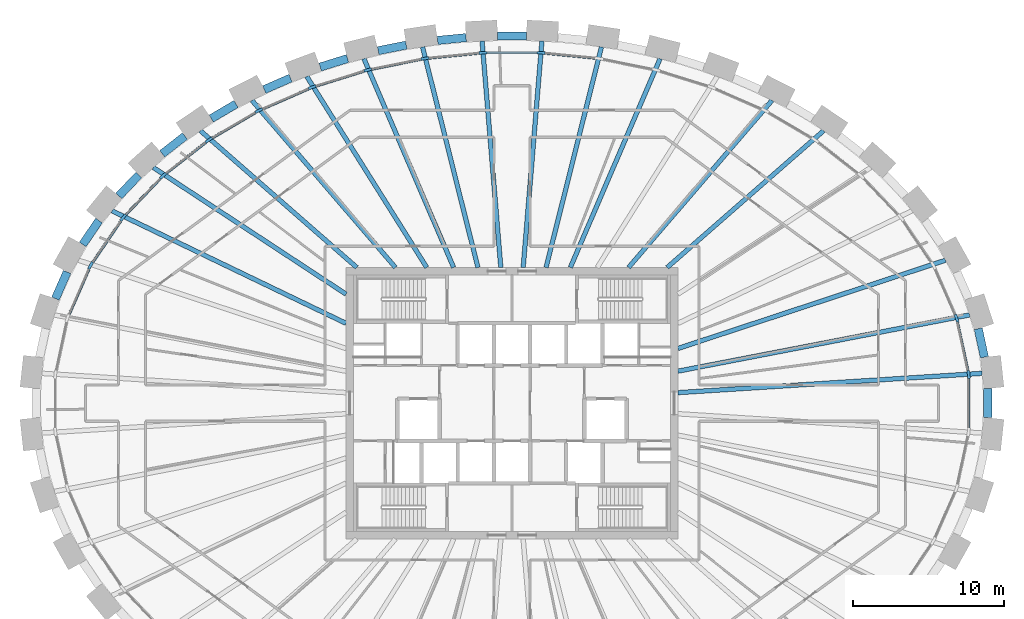
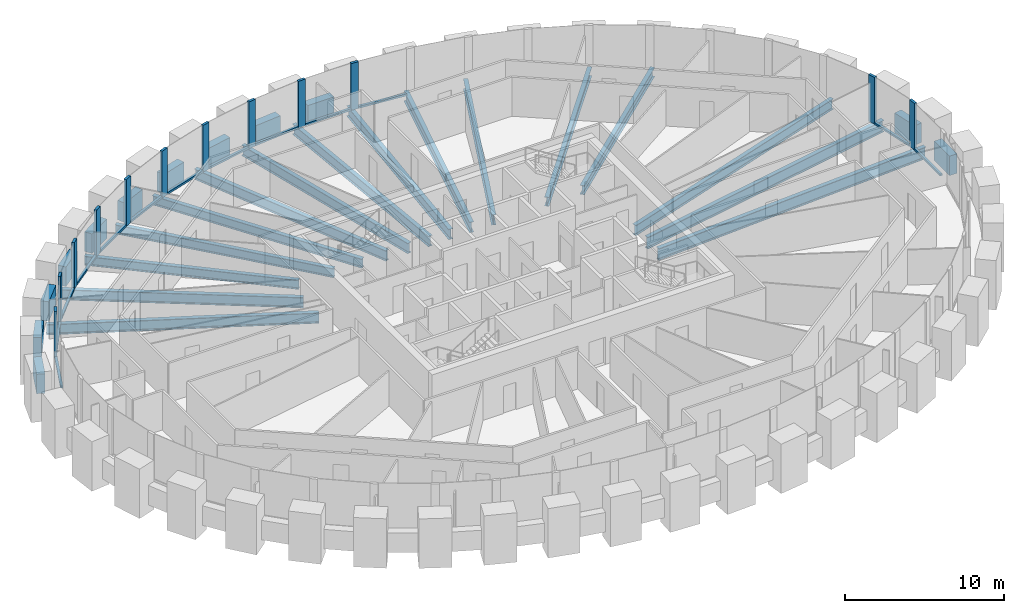
# One storey, part 3 of 12: 28 beams, 25 members, 1 element without a shape of its own.
"""IFC4 building model written with IfcOpenShell, lengths in metres."""

from ifc_helpers import new_model, si_unit, direction, frame, origin, origin_2d, place, context, subcontext, project, spatial, rectangle, i_section, extrude, source, transform, mapped, material, material_profile, profile_set, type_object, element, aggregate, save


model = new_model("IFC4")

# Units and contexts
model_context = context("Model", 3, precision=1e-05, world=origin(), true_north=direction((0.0, 1.0)))
body_context = subcontext(model_context, "Body", "Model", "MODEL_VIEW")
ifc_project = project(units=[si_unit("LENGTHUNIT", "METRE"), si_unit("AREAUNIT", "SQUARE_METRE"), si_unit("VOLUMEUNIT", "CUBIC_METRE"), si_unit("PLANEANGLEUNIT", "RADIAN"), si_unit("MASSUNIT", "GRAM", prefix="KILO")], contexts=[model_context])

# Site, building, storey
site_placement = place(None, origin())
site = spatial("IfcSite", under=ifc_project, at=site_placement, CompositionType="ELEMENT")
building_placement = place(site_placement, origin())
building = spatial("IfcBuilding", under=site, at=building_placement, Name="Embergate Tower", CompositionType="ELEMENT")
storey_placement = place(building_placement, frame((0.0, 0.0, 285.10009765625)))
storey = spatial("IfcBuildingStorey", under=building, at=storey_placement, Name="L66", CompositionType="ELEMENT", Elevation=285.10009765625)

# Beams
ifc_material_1 = material(Name="Concrete C60", Category="concrete")
ifc_material_profile_1 = material_profile(ifc_material_1, rectangle(XDim=0.550048828125, YDim=1.5, at=origin_2d()), Name="RC 550x1500")
ifc_profile_set_1 = profile_set([ifc_material_profile_1], Name="Concrete C60")
beam_type_1 = type_object("IfcBeamType", Name="Spandrel beam RC 550x1500 C60", PredefinedType="BEAM", material=ifc_profile_set_1)
shared_shape_1 = source(origin(), body_context, "Body", "SweptSolid", [
    extrude(rectangle(XDim=0.550048828125, YDim=1.5, at=origin_2d()), origin(), (0.0, 0.0, 1.0), 1.927978515625),
])
beam_1_placement = place(storey_placement, frame((31.320068359375, 3.052001953125, 0.0), z_axis=(-0.210073860291, 0.97768551857, 0.0), x_axis=(-0.97768551857, -0.210073860291, 0.0)))
element("IfcBeam", 1, at=beam_1_placement, inside=storey, type_object=beam_type_1, Name="SPN-L66-00", PredefinedType="BEAM", context=body_context, shape_type="MappedRepresentation", body=[
    mapped(shared_shape_1, transform((0.0, 0.0, 0.0))),
])
shared_shape_2 = source(origin(), body_context, "Body", "SweptSolid", [
    extrude(rectangle(XDim=0.550048828125, YDim=1.5, at=origin_2d()), origin(), (0.0, 0.0, 1.0), 1.924560546875),
])
beam_2_placement = place(storey_placement, frame((-29.4951171875, 8.697021484375, 0.0), z_axis=(-0.402156084764, -0.91557112421, 0.0), x_axis=(0.91557112421, -0.402156084764, 0.0)))
element("IfcBeam", 2, at=beam_2_placement, inside=storey, type_object=beam_type_1, Name="SPN-L66-19", PredefinedType="BEAM", context=body_context, shape_type="MappedRepresentation", body=[
    mapped(shared_shape_2, transform((0.0, 0.0, 0.0))),
])
shared_shape_3 = source(origin(), body_context, "Body", "SweptSolid", [
    extrude(rectangle(XDim=0.550048828125, YDim=1.5, at=origin_2d()), origin(), (0.0, 0.0, 1.0), 1.91455078125),
])
beam_3_placement = place(storey_placement, frame((-27.384033203125, 12.10791015625, 0.0), z_axis=(-0.562473939822, -0.826815013785, 0.0), x_axis=(0.826815013785, -0.562473939822, 0.0)))
element("IfcBeam", 3, at=beam_3_placement, inside=storey, type_object=beam_type_1, Name="SPN-L66-18", PredefinedType="BEAM", context=body_context, shape_type="MappedRepresentation", body=[
    mapped(shared_shape_3, transform((0.0, 0.0, 0.0))),
])
shared_shape_4 = source(origin(), body_context, "Body", "SweptSolid", [
    extrude(rectangle(XDim=0.550048828125, YDim=1.5, at=origin_2d()), origin(), (0.0, 0.0, 1.0), 1.913330078125),
])
beam_4_placement = place(storey_placement, frame((-24.743896484375, 15.1259765625, 0.0), z_axis=(-0.690454502374, -0.723375822206, 0.0), x_axis=(0.723375822206, -0.690454502374, 0.0)))
element("IfcBeam", 4, at=beam_4_placement, inside=storey, type_object=beam_type_1, Name="SPN-L66-17", PredefinedType="BEAM", context=body_context, shape_type="MappedRepresentation", body=[
    mapped(shared_shape_4, transform((0.0, 0.0, 0.0))),
])
shared_shape_5 = source(origin(), body_context, "Body", "SweptSolid", [
    extrude(rectangle(XDim=0.550048828125, YDim=1.5, at=origin_2d()), origin(), (0.0, 0.0, 1.0), 1.907958984375),
])
beam_5_placement = place(storey_placement, frame((-21.68408203125, 17.7099609375, 0.0), z_axis=(-0.788241602778, -0.615365887623, 0.0), x_axis=(0.615365887623, -0.788241602778, 0.0)))
element("IfcBeam", 5, at=beam_5_placement, inside=storey, type_object=beam_type_1, Name="SPN-L66-16", PredefinedType="BEAM", context=body_context, shape_type="MappedRepresentation", body=[
    mapped(shared_shape_5, transform((0.0, 0.0, 0.0))),
])
shared_shape_6 = source(origin(), body_context, "Body", "SweptSolid", [
    extrude(rectangle(XDim=0.550048828125, YDim=1.5, at=origin_2d()), origin(), (0.0, 0.0, 1.0), 1.90234375),
])
beam_6_placement = place(storey_placement, frame((-18.2958984375, 19.837890625, 0.0), z_axis=(-0.862145280572, -0.506661144343, 0.0), x_axis=(0.506661144343, -0.862145280572, 0.0)))
element("IfcBeam", 6, at=beam_6_placement, inside=storey, type_object=beam_type_1, Name="SPN-L66-15", PredefinedType="BEAM", context=body_context, shape_type="MappedRepresentation", body=[
    mapped(shared_shape_6, transform((0.0, 0.0, 0.0))),
])
shared_shape_7 = source(origin(), body_context, "Body", "SweptSolid", [
    extrude(rectangle(XDim=0.550048828125, YDim=1.5, at=origin_2d()), origin(), (0.0, 0.0, 1.0), 1.89990234375),
])
beam_7_placement = place(storey_placement, frame((-14.68408203125, 21.553955078125, 0.0), z_axis=(-0.916289991501, -0.400515482192, 0.0), x_axis=(0.400515482192, -0.916289991501, 0.0)))
element("IfcBeam", 7, at=beam_7_placement, inside=storey, type_object=beam_type_1, Name="SPN-L66-14", PredefinedType="BEAM", context=body_context, shape_type="MappedRepresentation", body=[
    mapped(shared_shape_7, transform((0.0, 0.0, 0.0))),
])
shared_shape_8 = source(origin(), body_context, "Body", "SweptSolid", [
    extrude(rectangle(XDim=0.550048828125, YDim=1.5, at=origin_2d()), origin(), (0.0, 0.0, 1.0), 1.898681640625),
])
beam_8_placement = place(storey_placement, frame((-10.904052734375, 22.85205078125, 0.0), z_axis=(-0.954868123024, -0.297030078667, 0.0), x_axis=(0.297030078667, -0.954868123024, 0.0)))
element("IfcBeam", 8, at=beam_8_placement, inside=storey, type_object=beam_type_1, Name="SPN-L66-13", PredefinedType="BEAM", context=body_context, shape_type="MappedRepresentation", body=[
    mapped(shared_shape_8, transform((0.0, 0.0, 0.0))),
])
shared_shape_9 = source(origin(), body_context, "Body", "SweptSolid", [
    extrude(rectangle(XDim=0.550048828125, YDim=1.5, at=origin_2d()), origin(), (0.0, 0.0, 1.0), 1.895751953125),
])
beam_9_placement = place(storey_placement, frame((-7.010009765625, 23.743896484375, 0.0), z_axis=(-0.980575722075, -0.196140901592, 0.0), x_axis=(0.196140901592, -0.980575722075, 0.0)))
element("IfcBeam", 9, at=beam_9_placement, inside=storey, type_object=beam_type_1, Name="SPN-L66-12", PredefinedType="BEAM", context=body_context, shape_type="MappedRepresentation", body=[
    mapped(shared_shape_9, transform((0.0, 0.0, 0.0))),
])
shared_shape_10 = source(origin(), body_context, "Body", "SweptSolid", [
    extrude(rectangle(XDim=0.550048828125, YDim=1.5, at=origin_2d()), origin(), (0.0, 0.0, 1.0), 1.896240234375),
])
beam_10_placement = place(storey_placement, frame((-3.0458984375, 24.239990234375, 0.0), z_axis=(-0.995176416472, -0.098101478571, 0.0), x_axis=(0.098101478571, -0.995176416472, 0.0)))
element("IfcBeam", 10, at=beam_10_placement, inside=storey, type_object=beam_type_1, Name="SPN-L66-11", PredefinedType="BEAM", context=body_context, shape_type="MappedRepresentation", body=[
    mapped(shared_shape_10, transform((0.0, 0.0, 0.0))),
])
shared_shape_11 = source(origin(), body_context, "Body", "SweptSolid", [
    extrude(rectangle(XDim=0.550048828125, YDim=1.5, at=origin_2d()), origin(), (0.0, 0.0, 1.0), 1.89599609375),
])
beam_11_placement = place(storey_placement, frame((0.947998046875, 24.343017578125, 0.0), z_axis=(-1.0, 0.0, 0.0), x_axis=(0.0, -1.0, 0.0)))
element("IfcBeam", 11, at=beam_11_placement, inside=storey, type_object=beam_type_1, Name="SPN-L66-10", PredefinedType="BEAM", context=body_context, shape_type="MappedRepresentation", body=[
    mapped(shared_shape_11, transform((0.0, 0.0, 0.0))),
])
shared_shape_12 = source(origin(), body_context, "Body", "SweptSolid", [
    extrude(rectangle(XDim=0.550048828125, YDim=1.5, at=origin_2d()), origin(), (0.0, 0.0, 1.0), 1.92822265625),
])
beam_12_placement = place(storey_placement, frame((31.5419921875, -0.964111328125, 0.0), z_axis=(0.0, 1.0, 0.0), x_axis=(-1.0, 0.0, 0.0)))
element("IfcBeam", 12, at=beam_12_placement, inside=storey, type_object=beam_type_1, Name="SPN-L66-43", PredefinedType="BEAM", context=body_context, shape_type="MappedRepresentation", body=[
    mapped(shared_shape_12, transform((0.0, 0.0, 0.0))),
])
ifc_material_2 = material(Name="Steel Q355B", Category="steel")
ifc_material_profile_2 = material_profile(ifc_material_2, i_section(OverallWidth=0.300048828125, OverallDepth=0.89990234375, WebThickness=0.01611328125, FlangeThickness=0.028076171875, FilletRadius=0.028076171875, at=origin_2d()), Name="HN 900x300x16x28")
ifc_profile_set_2 = profile_set([ifc_material_profile_2], Name="Steel Q355 grade B")
beam_type_2 = type_object("IfcBeamType", Name="Radial girder HN 900x300x16x28", PredefinedType="BEAM", material=ifc_profile_set_2)
shared_shape_13 = source(origin(), body_context, "Body", "SweptSolid", [
    extrude(i_section(OverallWidth=0.300048828125, OverallDepth=0.89990234375, WebThickness=0.01611328125, FlangeThickness=0.028076171875, FilletRadius=0.028076171875, at=origin_2d()), origin(), (0.0, 0.0, 1.0), 20.20751953125),
])
beam_13_placement = place(storey_placement, frame((31.1669921875, 1.97998046875, -0.650146484375), z_axis=(-0.997988693818, -0.063392168375, 0.0), x_axis=(0.063392168375, -0.997988693818, 0.0)))
element("IfcBeam", 13, at=beam_13_placement, inside=storey, type_object=beam_type_2, Name="GIR-L66-00", PredefinedType="BEAM", context=body_context, shape_type="MappedRepresentation", body=[
    mapped(shared_shape_13, transform((0.0, 0.0, 0.0))),
])
shared_shape_14 = source(origin(), body_context, "Body", "SweptSolid", [
    extrude(i_section(OverallWidth=0.300048828125, OverallDepth=0.89990234375, WebThickness=0.01611328125, FlangeThickness=0.028076171875, FilletRadius=0.028076171875, at=origin_2d()), origin(), (0.0, 0.0, 1.0), 19.6904296875),
])
beam_14_placement = place(storey_placement, frame((30.333984375, 5.85205078125, -0.650146484375), z_axis=(-0.981894135389, -0.189430480358, 0.0), x_axis=(0.189430480358, -0.981894135389, 0.0)))
element("IfcBeam", 14, at=beam_14_placement, inside=storey, type_object=beam_type_2, Name="GIR-L66-01", PredefinedType="BEAM", context=body_context, shape_type="MappedRepresentation", body=[
    mapped(shared_shape_14, transform((0.0, 0.0, 0.0))),
])
ifc_material_profile_3 = material_profile(ifc_material_2, i_section(OverallWidth=0.300048828125, OverallDepth=0.800048828125, WebThickness=0.013916015625, FlangeThickness=0.02587890625, FilletRadius=0.028076171875, at=origin_2d()), Name="HN 800x300x14x26")
ifc_profile_set_3 = profile_set([ifc_material_profile_3], Name="Steel Q355 grade B")
beam_type_3 = type_object("IfcBeamType", Name="Radial girder HN 800x300x14x26", PredefinedType="BEAM", material=ifc_profile_set_3)
shared_shape_15 = source(origin(), body_context, "Body", "SweptSolid", [
    extrude(i_section(OverallWidth=0.300048828125, OverallDepth=0.800048828125, WebThickness=0.013916015625, FlangeThickness=0.02587890625, FilletRadius=0.028076171875, at=origin_2d()), origin(), (0.0, 0.0, 1.0), 18.681884765625),
])
beam_15_placement = place(storey_placement, frame((28.741943359375, 9.47900390625, -0.60009765625), z_axis=(-0.949688639477, -0.313195606689, 0.0), x_axis=(0.313195606689, -0.949688639477, 0.0)))
element("IfcBeam", 15, at=beam_15_placement, inside=storey, type_object=beam_type_3, Name="GIR-L66-02", PredefinedType="BEAM", context=body_context, shape_type="MappedRepresentation", body=[
    mapped(shared_shape_15, transform((0.0, 0.0, 0.0))),
])
shared_shape_16 = source(origin(), body_context, "Body", "SweptSolid", [
    extrude(i_section(OverallWidth=0.300048828125, OverallDepth=0.800048828125, WebThickness=0.013916015625, FlangeThickness=0.02587890625, FilletRadius=0.028076171875, at=origin_2d()), origin(), (0.0, 0.0, 1.0), 17.216552734375),
])
beam_16_placement = place(storey_placement, frame((-26.514892578125, 12.7548828125, -0.60009765625), z_axis=(0.90116604055, -0.433474067689, 0.0), x_axis=(0.433474067689, 0.90116604055, 0.0)))
element("IfcBeam", 16, at=beam_16_placement, inside=storey, type_object=beam_type_3, Name="GIR-L66-18", PredefinedType="BEAM", context=body_context, shape_type="MappedRepresentation", body=[
    mapped(shared_shape_16, transform((0.0, 0.0, 0.0))),
])
shared_shape_17 = source(origin(), body_context, "Body", "SweptSolid", [
    extrude(i_section(OverallWidth=0.300048828125, OverallDepth=0.800048828125, WebThickness=0.013916015625, FlangeThickness=0.02587890625, FilletRadius=0.028076171875, at=origin_2d()), origin(), (0.0, 0.0, 1.0), 15.29052734375),
])
beam_17_placement = place(storey_placement, frame((-23.779052734375, 15.623046875, -0.60009765625), z_axis=(0.835755516173, -0.549101736645, 0.0), x_axis=(0.549101736645, 0.835755516173, 0.0)))
element("IfcBeam", 17, at=beam_17_placement, inside=storey, type_object=beam_type_3, Name="GIR-L66-17", PredefinedType="BEAM", context=body_context, shape_type="MappedRepresentation", body=[
    mapped(shared_shape_17, transform((0.0, 0.0, 0.0))),
])
ifc_material_profile_4 = material_profile(ifc_material_2, i_section(OverallWidth=0.300048828125, OverallDepth=0.699951171875, WebThickness=0.012939453125, FlangeThickness=0.02392578125, FilletRadius=0.01806640625, at=origin_2d()), Name="HN 700x300x13x24")
ifc_profile_set_4 = profile_set([ifc_material_profile_4], Name="Steel Q355 grade B")
beam_type_4 = type_object("IfcBeamType", Name="Radial girder HN 700x300x13x24", PredefinedType="BEAM", material=ifc_profile_set_4)
shared_shape_18 = source(origin(), body_context, "Body", "SweptSolid", [
    extrude(i_section(OverallWidth=0.300048828125, OverallDepth=0.699951171875, WebThickness=0.012939453125, FlangeThickness=0.02392578125, FilletRadius=0.01806640625, at=origin_2d()), origin(), (0.0, 0.0, 1.0), 13.767822265625),
])
for number, where, z_axis, x_axis, name in (
    (18, (20.655029296875, 18.06298828125, -0.550048828125), (-0.752775487565, -0.658277346809, 0.0), (0.658277346809, -0.752775487565, 0.0), "GIR-L66-05"),
    (19, (-20.655029296875, 18.06298828125, -0.550048828125), (0.752775487565, -0.658277346809, 0.0), (0.658277346809, 0.752775487565, 0.0), "GIR-L66-16"),
):
    element("IfcBeam", number, at=place(storey_placement, frame(where, z_axis=z_axis, x_axis=x_axis)), inside=storey, type_object=beam_type_4, Name=name, PredefinedType="BEAM", context=body_context, shape_type="MappedRepresentation", body=[
        mapped(shared_shape_18, transform((0.0, 0.0, 0.0))),
    ])
shared_shape_19 = source(origin(), body_context, "Body", "SweptSolid", [
    extrude(i_section(OverallWidth=0.300048828125, OverallDepth=0.699951171875, WebThickness=0.012939453125, FlangeThickness=0.02392578125, FilletRadius=0.01806640625, at=origin_2d()), origin(), (0.0, 0.0, 1.0), 14.59423828125),
])
for number, where, z_axis, x_axis, name in (
    (20, (17.237060546875, 20.072021484375, -0.550048828125), (-0.651492316214, -0.758655232575, 0.0), (0.758655232575, -0.651492316214, 0.0), "GIR-L66-06"),
    (21, (-17.237060546875, 20.072021484375, -0.550048828125), (0.651492316214, -0.758655232575, 0.0), (0.758655232575, 0.651492316214, 0.0), "GIR-L66-15"),
):
    element("IfcBeam", number, at=place(storey_placement, frame(where, z_axis=z_axis, x_axis=x_axis)), inside=storey, type_object=beam_type_4, Name=name, PredefinedType="BEAM", context=body_context, shape_type="MappedRepresentation", body=[
        mapped(shared_shape_19, transform((0.0, 0.0, 0.0))),
    ])
shared_shape_20 = source(origin(), body_context, "Body", "SweptSolid", [
    extrude(i_section(OverallWidth=0.300048828125, OverallDepth=0.699951171875, WebThickness=0.012939453125, FlangeThickness=0.02392578125, FilletRadius=0.01806640625, at=origin_2d()), origin(), (0.0, 0.0, 1.0), 14.94970703125),
])
beam_18_placement = place(storey_placement, frame((-13.60400390625, 21.659912109375, -0.550048828125), z_axis=(0.531848758453, -0.846839357926, 0.0), x_axis=(0.846839357926, 0.531848758453, 0.0)))
element("IfcBeam", 22, at=beam_18_placement, inside=storey, type_object=beam_type_4, Name="GIR-L66-14", PredefinedType="BEAM", context=body_context, shape_type="MappedRepresentation", body=[
    mapped(shared_shape_20, transform((0.0, 0.0, 0.0))),
])
shared_shape_21 = source(origin(), body_context, "Body", "SweptSolid", [
    extrude(i_section(OverallWidth=0.300048828125, OverallDepth=0.800048828125, WebThickness=0.013916015625, FlangeThickness=0.02587890625, FilletRadius=0.028076171875, at=origin_2d()), origin(), (0.0, 0.0, 1.0), 15.064453125),
])
for number, where, z_axis, x_axis, name in (
    (23, (9.818115234375, 22.840087890625, -0.60009765625), (-0.394914636063, -0.918717818605, 0.0), (0.918717818605, -0.394914636063, 0.0), "GIR-L66-08"),
    (24, (-9.818115234375, 22.840087890625, -0.60009765625), (0.394914636063, -0.918717818605, 0.0), (0.918717818605, 0.394914636063, 0.0), "GIR-L66-13"),
):
    element("IfcBeam", number, at=place(storey_placement, frame(where, z_axis=z_axis, x_axis=x_axis)), inside=storey, type_object=beam_type_3, Name=name, PredefinedType="BEAM", context=body_context, shape_type="MappedRepresentation", body=[
        mapped(shared_shape_21, transform((0.0, 0.0, 0.0))),
    ])
shared_shape_22 = source(origin(), body_context, "Body", "SweptSolid", [
    extrude(i_section(OverallWidth=0.300048828125, OverallDepth=0.800048828125, WebThickness=0.013916015625, FlangeThickness=0.02587890625, FilletRadius=0.028076171875, at=origin_2d()), origin(), (0.0, 0.0, 1.0), 15.072509765625),
])
for number, where, z_axis, x_axis, name in (
    (25, (5.929931640625, 23.618896484375, -0.60009765625), (-0.243484506306, -0.969904786662, 0.0), (0.969904786662, -0.243484506306, 0.0), "GIR-L66-09"),
    (26, (-5.929931640625, 23.618896484375, -0.60009765625), (0.243484506306, -0.969904786662, 0.0), (0.969904786662, 0.243484506306, 0.0), "GIR-L66-12"),
):
    element("IfcBeam", number, at=place(storey_placement, frame(where, z_axis=z_axis, x_axis=x_axis)), inside=storey, type_object=beam_type_3, Name=name, PredefinedType="BEAM", context=body_context, shape_type="MappedRepresentation", body=[
        mapped(shared_shape_22, transform((0.0, 0.0, 0.0))),
    ])
shared_shape_23 = source(origin(), body_context, "Body", "SweptSolid", [
    extrude(i_section(OverallWidth=0.300048828125, OverallDepth=0.800048828125, WebThickness=0.013916015625, FlangeThickness=0.02587890625, FilletRadius=0.028076171875, at=origin_2d()), origin(), (0.0, 0.0, 1.0), 15.05908203125),
])
for number, where, z_axis, x_axis, name in (
    (27, (1.98291015625, 24.008056640625, -0.60009765625), (-0.082341072881, -0.996604208157, 0.0), (0.996604208157, -0.082341072881, 0.0), "GIR-L66-10"),
    (28, (-1.98291015625, 24.008056640625, -0.60009765625), (0.082341072881, -0.996604208157, 0.0), (0.996604208157, 0.082341072881, 0.0), "GIR-L66-11"),
):
    element("IfcBeam", number, at=place(storey_placement, frame(where, z_axis=z_axis, x_axis=x_axis)), inside=storey, type_object=beam_type_3, Name=name, PredefinedType="BEAM", context=body_context, shape_type="MappedRepresentation", body=[
        mapped(shared_shape_23, transform((0.0, 0.0, 0.0))),
    ])

# Curtain wall, members
ifc_material_3 = material(Name="Aluminium and glass", Category="aluminium")
curtain_wall_type = type_object("IfcCurtainWallType", Name="Recessed office glazing", PredefinedType="NOTDEFINED", material=ifc_material_3)
curtain_wall_placement = place(storey_placement, origin())
curtain_wall = element("IfcCurtainWall", 29, at=curtain_wall_placement, inside=storey, type_object=curtain_wall_type, Name="Recessed office glazing ring", ObjectType="RECESSED OFFICE GLAZING", PredefinedType="USERDEFINED")
ifc_material_4 = material(Name="Aluminium, thermally broken", Category="aluminium")
ifc_material_profile_5 = material_profile(ifc_material_4, rectangle(XDim=0.179931640625, YDim=0.52001953125, at=origin_2d()), Name="AL 520x180")
ifc_profile_set_5 = profile_set([ifc_material_profile_5], Name="Aluminium, thermally broken")
member_type_1 = type_object("IfcMemberType", Name="Office mullion", PredefinedType="MULLION", material=ifc_profile_set_5)
shared_shape_24 = source(origin(), body_context, "Body", "SweptSolid", [
    extrude(rectangle(XDim=0.179931640625, YDim=0.52001953125, at=origin_2d()), origin(), (0.0, 0.0, 1.0), 3.599853515625),
])
member_1_placement = place(storey_placement, frame((30.27685546875, 1.90625, 0.0), z_axis=(0.0, 0.0, 1.0), x_axis=(-0.994384031216, -0.105831934987, 0.0)))
member_1 = element("IfcMember", 30, at=member_1_placement, type_object=member_type_1, Name="CW mullion 1", PredefinedType="MULLION", context=body_context, shape_type="MappedRepresentation", body=[
    mapped(shared_shape_24, transform((0.0, 0.0, 0.0))),
])
member_2_placement = place(storey_placement, frame((29.47412109375, 5.635986328125, 0.0), z_axis=(0.0, 0.0, 1.0), x_axis=(-0.951491354261, -0.307675482882, 0.0)))
member_2 = element("IfcMember", 31, at=member_2_placement, type_object=member_type_1, Name="CW mullion 2", PredefinedType="MULLION", context=body_context, shape_type="MappedRepresentation", body=[
    mapped(shared_shape_24, transform((0.0, 0.0, 0.0))),
])
member_3_placement = place(storey_placement, frame((1.931884765625, 23.230712890625, 0.0), z_axis=(0.0, 0.0, 1.0), x_axis=(-0.048970053385, -0.998800247232, 0.0)))
member_3 = element("IfcMember", 32, at=member_3_placement, type_object=member_type_1, Name="CW mullion 11", PredefinedType="MULLION", context=body_context, shape_type="MappedRepresentation", body=[
    mapped(shared_shape_24, transform((0.0, 0.0, 0.0))),
])
member_4_placement = place(storey_placement, frame((-1.931884765625, 23.230712890625, 0.0), z_axis=(0.0, 0.0, 1.0), x_axis=(0.048970053385, -0.998800247232, 0.0)))
member_4 = element("IfcMember", 33, at=member_4_placement, type_object=member_type_1, Name="CW mullion 12", PredefinedType="MULLION", context=body_context, shape_type="MappedRepresentation", body=[
    mapped(shared_shape_24, transform((0.0, 0.0, 0.0))),
])
member_5_placement = place(storey_placement, frame((-5.776611328125, 22.852783203125, 0.0), z_axis=(0.0, 0.0, 1.0), x_axis=(0.147407204031, -0.98907589001, 0.0)))
member_5 = element("IfcMember", 34, at=member_5_placement, type_object=member_type_1, Name="CW mullion 13", PredefinedType="MULLION", context=body_context, shape_type="MappedRepresentation", body=[
    mapped(shared_shape_24, transform((0.0, 0.0, 0.0))),
])
member_6_placement = place(storey_placement, frame((-9.5634765625, 22.093505859375, 0.0), z_axis=(0.0, 0.0, 1.0), x_axis=(0.247305116915, -0.968937654933, 0.0)))
member_6 = element("IfcMember", 35, at=member_6_placement, type_object=member_type_1, Name="CW mullion 14", PredefinedType="MULLION", context=body_context, shape_type="MappedRepresentation", body=[
    mapped(shared_shape_24, transform((0.0, 0.0, 0.0))),
])
member_7_placement = place(storey_placement, frame((-13.248779296875, 20.94580078125, 0.0), z_axis=(0.0, 0.0, 1.0), x_axis=(0.349492871267, -0.93693902306, 0.0)))
member_7 = element("IfcMember", 36, at=member_7_placement, type_object=member_type_1, Name="CW mullion 15", PredefinedType="MULLION", context=body_context, shape_type="MappedRepresentation", body=[
    mapped(shared_shape_24, transform((0.0, 0.0, 0.0))),
])
member_8_placement = place(storey_placement, frame((-16.782470703125, 19.400634765625, 0.0), z_axis=(0.0, 0.0, 1.0), x_axis=(0.454498943392, -0.890747276423, 0.0)))
member_8 = element("IfcMember", 37, at=member_8_placement, type_object=member_type_1, Name="CW mullion 16", PredefinedType="MULLION", context=body_context, shape_type="MappedRepresentation", body=[
    mapped(shared_shape_24, transform((0.0, 0.0, 0.0))),
])
member_9_placement = place(storey_placement, frame((-20.103271484375, 17.4482421875, 0.0), z_axis=(0.0, 0.0, 1.0), x_axis=(0.562201741385, -0.827000122118, 0.0)))
member_9 = element("IfcMember", 38, at=member_9_placement, type_object=member_type_1, Name="CW mullion 17", PredefinedType="MULLION", context=body_context, shape_type="MappedRepresentation", body=[
    mapped(shared_shape_24, transform((0.0, 0.0, 0.0))),
])
member_10_placement = place(storey_placement, frame((-23.135498046875, 15.081787109375, 0.0), z_axis=(0.0, 0.0, 1.0), x_axis=(0.671209715303, -0.741267507775, 0.0)))
member_10 = element("IfcMember", 39, at=member_10_placement, type_object=member_type_1, Name="CW mullion 18", PredefinedType="MULLION", context=body_context, shape_type="MappedRepresentation", body=[
    mapped(shared_shape_24, transform((0.0, 0.0, 0.0))),
])
member_11_placement = place(storey_placement, frame((-25.784912109375, 12.3037109375, 0.0), z_axis=(0.0, 0.0, 1.0), x_axis=(0.777856112038, -0.628442414996, 0.0)))
member_11 = element("IfcMember", 40, at=member_11_placement, type_object=member_type_1, Name="CW mullion 19", PredefinedType="MULLION", context=body_context, shape_type="MappedRepresentation", body=[
    mapped(shared_shape_24, transform((0.0, 0.0, 0.0))),
])
member_12_placement = place(storey_placement, frame((-27.93896484375, 9.13623046875, 0.0), z_axis=(0.0, 0.0, 1.0), x_axis=(0.874988376324, -0.484143926222, 0.0)))
member_12 = element("IfcMember", 41, at=member_12_placement, type_object=member_type_1, Name="CW mullion 20", PredefinedType="MULLION", context=body_context, shape_type="MappedRepresentation", body=[
    mapped(shared_shape_24, transform((0.0, 0.0, 0.0))),
])
ifc_material_profile_6 = material_profile(ifc_material_4, rectangle(XDim=0.179931640625, YDim=0.14990234375, at=origin_2d()), Name="AL 150x180")
ifc_profile_set_6 = profile_set([ifc_material_profile_6], Name="Aluminium, thermally broken")
member_type_2 = type_object("IfcMemberType", Name="Office sill transom", PredefinedType="USERDEFINED", material=ifc_profile_set_6)
shared_shape_25 = source(origin(), body_context, "Body", "SweptSolid", [
    extrude(rectangle(XDim=0.179931640625, YDim=0.14990234375, at=origin_2d()), origin(), (0.0, 0.0, 1.0), 3.295166015625),
])
member_13_placement = place(storey_placement, frame((30.22216796875, 2.160400390625, 0.074951171875), z_axis=(-0.210414463892, 0.977612271499, 0.0), x_axis=(-0.977612271499, -0.210414463892, 0.0)))
member_13 = element("IfcMember", 42, at=member_13_placement, type_object=member_type_2, Name="CW transom 1.1", ObjectType="TRANSOM", PredefinedType="USERDEFINED", context=body_context, shape_type="MappedRepresentation", body=[
    mapped(shared_shape_25, transform((0.0, 0.0, 0.0))),
])
shared_shape_26 = source(origin(), body_context, "Body", "SweptSolid", [
    extrude(rectangle(XDim=0.179931640625, YDim=0.14990234375, at=origin_2d()), origin(), (0.0, 0.0, 1.0), 3.302001953125),
])
member_14_placement = place(storey_placement, frame((-28.04345703125, 8.898193359375, 0.074951171875), z_axis=(-0.401633209746, -0.915800614123, 0.0), x_axis=(0.915800614123, -0.401633209746, 0.0)))
member_14 = element("IfcMember", 43, at=member_14_placement, type_object=member_type_2, Name="CW transom 20.1", ObjectType="TRANSOM", PredefinedType="USERDEFINED", context=body_context, shape_type="MappedRepresentation", body=[
    mapped(shared_shape_26, transform((0.0, 0.0, 0.0))),
])
shared_shape_27 = source(origin(), body_context, "Body", "SweptSolid", [
    extrude(rectangle(XDim=0.179931640625, YDim=0.14990234375, at=origin_2d()), origin(), (0.0, 0.0, 1.0), 3.310302734375),
])
member_15_placement = place(storey_placement, frame((-25.93115234375, 12.088623046875, 0.074951171875), z_axis=(-0.562352383191, -0.82689769447, 0.0), x_axis=(0.82689769447, -0.562352383191, 0.0)))
member_15 = element("IfcMember", 44, at=member_15_placement, type_object=member_type_2, Name="CW transom 19.1", ObjectType="TRANSOM", PredefinedType="USERDEFINED", context=body_context, shape_type="MappedRepresentation", body=[
    mapped(shared_shape_27, transform((0.0, 0.0, 0.0))),
])
shared_shape_28 = source(origin(), body_context, "Body", "SweptSolid", [
    extrude(rectangle(XDim=0.179931640625, YDim=0.14990234375, at=origin_2d()), origin(), (0.0, 0.0, 1.0), 3.3193359375),
])
member_16_placement = place(storey_placement, frame((-23.314697265625, 14.893798828125, 0.074951171875), z_axis=(-0.690138048093, -0.723677742213, 0.0), x_axis=(0.723677742213, -0.690138048093, 0.0)))
member_16 = element("IfcMember", 45, at=member_16_placement, type_object=member_type_2, Name="CW transom 18.1", ObjectType="TRANSOM", PredefinedType="USERDEFINED", context=body_context, shape_type="MappedRepresentation", body=[
    mapped(shared_shape_28, transform((0.0, 0.0, 0.0))),
])
shared_shape_29 = source(origin(), body_context, "Body", "SweptSolid", [
    extrude(rectangle(XDim=0.179931640625, YDim=0.14990234375, at=origin_2d()), origin(), (0.0, 0.0, 1.0), 3.326416015625),
])
member_17_placement = place(storey_placement, frame((-20.30810546875, 17.288330078125, 0.074951171875), z_axis=(-0.788323597631, -0.615260843398, 0.0), x_axis=(0.615260843398, -0.788323597631, 0.0)))
member_17 = element("IfcMember", 46, at=member_17_placement, type_object=member_type_2, Name="CW transom 17.1", ObjectType="TRANSOM", PredefinedType="USERDEFINED", context=body_context, shape_type="MappedRepresentation", body=[
    mapped(shared_shape_29, transform((0.0, 0.0, 0.0))),
])
shared_shape_30 = source(origin(), body_context, "Body", "SweptSolid", [
    extrude(rectangle(XDim=0.179931640625, YDim=0.14990234375, at=origin_2d()), origin(), (0.0, 0.0, 1.0), 3.33203125),
])
member_18_placement = place(storey_placement, frame((-17.006591796875, 19.268798828125, 0.074951171875), z_axis=(-0.862049093097, -0.506824783421, 0.0), x_axis=(0.506824783421, -0.862049093097, 0.0)))
member_18 = element("IfcMember", 47, at=member_18_placement, type_object=member_type_2, Name="CW transom 16.1", ObjectType="TRANSOM", PredefinedType="USERDEFINED", context=body_context, shape_type="MappedRepresentation", body=[
    mapped(shared_shape_30, transform((0.0, 0.0, 0.0))),
])
shared_shape_31 = source(origin(), body_context, "Body", "SweptSolid", [
    extrude(rectangle(XDim=0.179931640625, YDim=0.14990234375, at=origin_2d()), origin(), (0.0, 0.0, 1.0), 3.3369140625),
])
member_19_placement = place(storey_placement, frame((-13.48681640625, 20.841552734375, 0.074951171875), z_axis=(-0.9162597376, -0.40058468924, 0.0), x_axis=(0.40058468924, -0.9162597376, 0.0)))
member_19 = element("IfcMember", 48, at=member_19_placement, type_object=member_type_2, Name="CW transom 15.1", ObjectType="TRANSOM", PredefinedType="USERDEFINED", context=body_context, shape_type="MappedRepresentation", body=[
    mapped(shared_shape_31, transform((0.0, 0.0, 0.0))),
])
shared_shape_32 = source(origin(), body_context, "Body", "SweptSolid", [
    extrude(rectangle(XDim=0.179931640625, YDim=0.14990234375, at=origin_2d()), origin(), (0.0, 0.0, 1.0), 3.340087890625),
])
member_20_placement = place(storey_placement, frame((-9.8115234375, 22.01611328125, 0.074951171875), z_axis=(-0.95478901941, -0.29728425524, 0.0), x_axis=(0.29728425524, -0.95478901941, 0.0)))
member_20 = element("IfcMember", 49, at=member_20_placement, type_object=member_type_2, Name="CW transom 14.1", ObjectType="TRANSOM", PredefinedType="USERDEFINED", context=body_context, shape_type="MappedRepresentation", body=[
    mapped(shared_shape_32, transform((0.0, 0.0, 0.0))),
])
shared_shape_33 = source(origin(), body_context, "Body", "SweptSolid", [
    extrude(rectangle(XDim=0.179931640625, YDim=0.14990234375, at=origin_2d()), origin(), (0.0, 0.0, 1.0), 3.34228515625),
])
member_21_placement = place(storey_placement, frame((-6.031494140625, 22.8017578125, 0.074951171875), z_axis=(-0.980476589981, -0.196635847443, 0.0), x_axis=(0.196635847443, -0.980476589981, 0.0)))
member_21 = element("IfcMember", 50, at=member_21_placement, type_object=member_type_2, Name="CW transom 13.1", ObjectType="TRANSOM", PredefinedType="USERDEFINED", context=body_context, shape_type="MappedRepresentation", body=[
    mapped(shared_shape_33, transform((0.0, 0.0, 0.0))),
])
shared_shape_34 = source(origin(), body_context, "Body", "SweptSolid", [
    extrude(rectangle(XDim=0.179931640625, YDim=0.14990234375, at=origin_2d()), origin(), (0.0, 0.0, 1.0), 3.34326171875),
])
member_22_placement = place(storey_placement, frame((5.517822265625, 22.87841796875, 0.074951171875), z_axis=(-0.995207784906, 0.097782743175, 0.0), x_axis=(-0.097782743175, -0.995207784906, 0.0)))
member_22 = element("IfcMember", 51, at=member_22_placement, type_object=member_type_2, Name="CW transom 10.1", ObjectType="TRANSOM", PredefinedType="USERDEFINED", context=body_context, shape_type="MappedRepresentation", body=[
    mapped(shared_shape_34, transform((0.0, 0.0, 0.0))),
])
member_23_placement = place(storey_placement, frame((-2.190673828125, 23.205322265625, 0.074951171875), z_axis=(-0.995207784906, -0.097782743175, 0.0), x_axis=(0.097782743175, -0.995207784906, 0.0)))
member_23 = element("IfcMember", 52, at=member_23_placement, type_object=member_type_2, Name="CW transom 12.1", ObjectType="TRANSOM", PredefinedType="USERDEFINED", context=body_context, shape_type="MappedRepresentation", body=[
    mapped(shared_shape_34, transform((0.0, 0.0, 0.0))),
])
shared_shape_35 = source(origin(), body_context, "Body", "SweptSolid", [
    extrude(rectangle(XDim=0.179931640625, YDim=0.14990234375, at=origin_2d()), origin(), (0.0, 0.0, 1.0), 3.34375),
])
member_24_placement = place(storey_placement, frame((1.671875, 23.230712890625, 0.074951171875), z_axis=(-1.0, 0.0, 0.0), x_axis=(0.0, -1.0, 0.0)))
member_24 = element("IfcMember", 53, at=member_24_placement, type_object=member_type_2, Name="CW transom 11.1", ObjectType="TRANSOM", PredefinedType="USERDEFINED", context=body_context, shape_type="MappedRepresentation", body=[
    mapped(shared_shape_35, transform((0.0, 0.0, 0.0))),
])
shared_shape_36 = source(origin(), body_context, "Body", "SweptSolid", [
    extrude(rectangle(XDim=0.179931640625, YDim=0.14990234375, at=origin_2d()), origin(), (0.0, 0.0, 1.0), 3.29248046875),
])
member_25_placement = place(storey_placement, frame((30.27685546875, -1.646240234375, 0.074951171875), z_axis=(0.0, 1.0, 0.0), x_axis=(-1.0, 0.0, 0.0)))
member_25 = element("IfcMember", 54, at=member_25_placement, type_object=member_type_2, Name="CW transom 44.1", ObjectType="TRANSOM", PredefinedType="USERDEFINED", context=body_context, shape_type="MappedRepresentation", body=[
    mapped(shared_shape_36, transform((0.0, 0.0, 0.0))),
])
aggregate(curtain_wall, [member_1, member_2, member_3, member_4, member_5, member_6, member_7, member_8, member_9, member_10, member_11, member_12, member_13, member_22, member_24, member_23, member_21, member_20, member_19, member_18, member_17, member_16, member_15, member_14, member_25])

save(model, "model.ifc")
